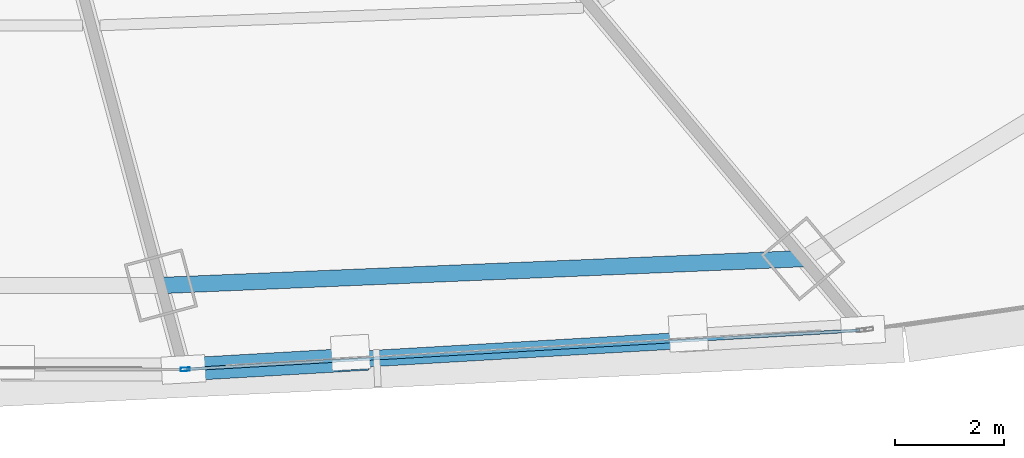
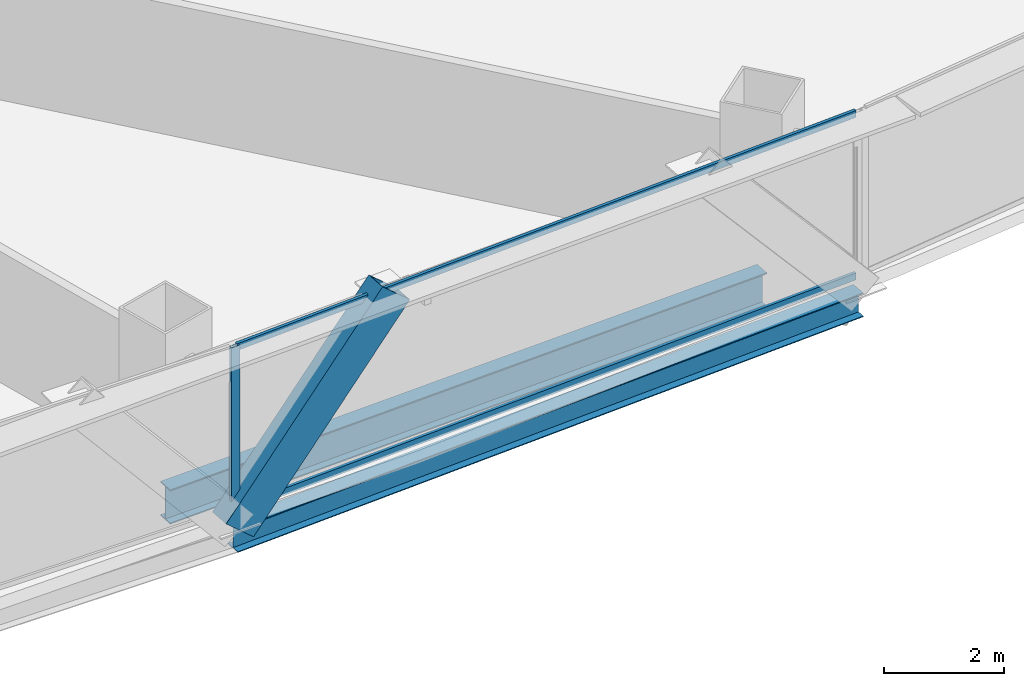
# One storey, part 10 of 42: 4 members, 2 beams, 1 element without a shape of its own.
"""IFC4 building model written with IfcOpenShell, lengths in metres."""

from ifc_helpers import new_model, si_unit, direction, frame, origin, origin_2d, place, context, subcontext, project, spatial, hollow_rectangle, i_section, extrude, source, transform, mapped, material, layer, layer_set, material_profile, profile_set, type_object, element, aggregate, save


model = new_model("IFC4")

# Units and contexts
model_context = context("Model", 3, precision=1e-05, world=origin(), true_north=direction((0.0, 1.0)))
body_context = subcontext(model_context, "Body", "Model", "MODEL_VIEW")
ifc_project = project(units=[si_unit("LENGTHUNIT", "METRE"), si_unit("AREAUNIT", "SQUARE_METRE"), si_unit("VOLUMEUNIT", "CUBIC_METRE"), si_unit("PLANEANGLEUNIT", "RADIAN"), si_unit("MASSUNIT", "GRAM", prefix="KILO"), si_unit("THERMODYNAMICTEMPERATUREUNIT", "KELVIN"), si_unit("POWERUNIT", "WATT")], contexts=[model_context])

# Site, building, storey
site_placement = place(None, origin())
site = spatial("IfcSite", under=ifc_project, at=site_placement, CompositionType="ELEMENT")
building_placement = place(site_placement, origin())
building = spatial("IfcBuilding", under=site, at=building_placement, Name="Yunzhuo Pagoda Commons", CompositionType="ELEMENT")
storey_placement = place(building_placement, frame((0.0, 0.0, 48.550048828125)))
storey = spatial("IfcBuildingStorey", under=building, at=storey_placement, Name="L12", CompositionType="ELEMENT", Elevation=48.550048828125)

# Beams
ifc_material_1 = material(Name="Structural steel Q355B", Category="steel")
ifc_material_profile_1 = material_profile(ifc_material_1, i_section(OverallWidth=0.300048828125, OverallDepth=0.699951171875, WebThickness=0.012939453125, FlangeThickness=0.02392578125, at=origin_2d()), Name="Structural steel Q355B")
ifc_profile_set_1 = profile_set([ifc_material_profile_1], Name="Structural steel Q355B")
beam_type_1 = type_object("IfcBeamType", Name="B-RG1 Beam HN 700x300x13x24", PredefinedType="BEAM", material=ifc_profile_set_1)
shared_shape_1 = source(origin(), body_context, "Body", "SweptSolid", [
    extrude(i_section(OverallWidth=0.300048828125, OverallDepth=0.699951171875, WebThickness=0.012939453125, FlangeThickness=0.02392578125, at=origin_2d()), origin(), (0.0, 0.0, 1.0), 11.7900390625),
])
beam_1_placement = place(storey_placement, frame((53.72021484375, 12.35205078125, -0.610107421875), z_axis=(0.99912739354, 0.041766631146, 0.0), x_axis=(-0.041766631146, 0.99912739354, 0.0)))
element("IfcBeam", 1, at=beam_1_placement, inside=storey, type_object=beam_type_1, Name="L12 column-ring beam 3", PredefinedType="BEAM", context=body_context, shape_type="MappedRepresentation", body=[
    mapped(shared_shape_1, transform((0.0, 0.0, 0.0), scale=1.0)),
])
ifc_material_profile_2 = material_profile(ifc_material_1, i_section(OverallWidth=0.300048828125, OverallDepth=0.488037109375, WebThickness=0.010986328125, FlangeThickness=0.01806640625, at=origin_2d()), Name="Structural steel Q355B")
ifc_profile_set_2 = profile_set([ifc_material_profile_2], Name="Structural steel Q355B")
beam_type_2 = type_object("IfcBeamType", Name="B-SP1 Beam HM 488x300x11x18", PredefinedType="BEAM", material=ifc_profile_set_2)
shared_shape_2 = source(origin(), body_context, "Body", "SweptSolid", [
    extrude(i_section(OverallWidth=0.300048828125, OverallDepth=0.488037109375, WebThickness=0.010986328125, FlangeThickness=0.01806640625, at=origin_2d()), origin(), (0.0, 0.0, 1.0), 12.488037109375),
])
beam_2_placement = place(storey_placement, frame((54.133056640625, 10.811279296875, -0.504150390625), z_axis=(0.998328811504, 0.057789134978, 0.0), x_axis=(-0.057789134978, 0.998328811504, 0.0)))
element("IfcBeam", 2, at=beam_2_placement, inside=storey, type_object=beam_type_2, Name="L12 facade edge spandrel beam F1.3", PredefinedType="BEAM", context=body_context, shape_type="MappedRepresentation", body=[
    mapped(shared_shape_2, transform((0.0, 0.0, 0.0), scale=1.0)),
])

# Member
ifc_material_2 = material(Name="Structural steel Q420B", Category="steel")
ifc_material_profile_3 = material_profile(ifc_material_2, hollow_rectangle(XDim=0.419921875, YDim=0.719970703125, WallThickness=0.028076171875, at=origin_2d()), Name="Structural steel Q420B")
ifc_profile_set_3 = profile_set([ifc_material_profile_3], Name="Structural steel Q420B")
member_type_1 = type_object("IfcMemberType", Name="M-DL1 Brace BOX 720x420x28", PredefinedType="BRACE", material=ifc_profile_set_3)
shared_shape_3 = source(origin(), body_context, "Body", "SweptSolid", [
    extrude(hollow_rectangle(XDim=0.419921875, YDim=0.719970703125, WallThickness=0.028076171875, at=origin_2d()), origin(), (0.0, 0.0, 1.0), 4.787841796875),
])
member_1_placement = place(storey_placement, frame((54.133056640625, 10.811279296875, -0.260009765625), z_axis=(0.650975599794, 0.0376837669, 0.758162714847), x_axis=(-0.057791390819, 0.99832868092, 0.0)))
element("IfcMember", 3, at=member_1_placement, inside=storey, type_object=member_type_1, Name="L12 facade diamond brace F1.3L", PredefinedType="BRACE", context=body_context, shape_type="MappedRepresentation", body=[
    mapped(shared_shape_3, transform((0.0, 0.0, 0.0), scale=1.0)),
])

# Curtain wall, members
ifc_material_3 = material(Name="Anodized aluminium 6063-T6", Category="aluminium")
ifc_layer = layer(ifc_material_3, 0.1650390625)
ifc_layer_set = layer_set([ifc_layer], Name="Anodized aluminium 6063-T6")
curtain_wall_type = type_object("IfcCurtainWallType", Name="CW-LOW Low-Zone Ribbon Curtain Wall", PredefinedType="NOTDEFINED", material=ifc_layer_set)
curtain_wall_placement = place(storey_placement, origin())
curtain_wall = element("IfcCurtainWall", 4, at=curtain_wall_placement, inside=storey, type_object=curtain_wall_type, Name="L12 curtain wall CW-L12-F1B4", PredefinedType="NOTDEFINED")
ifc_material_profile_4 = material_profile(ifc_material_3, hollow_rectangle(XDim=0.06494140625, YDim=0.1650390625, WallThickness=0.00390625, at=origin_2d()), Name="Anodized aluminium 6063-T6")
ifc_profile_set_4 = profile_set([ifc_material_profile_4], Name="Anodized aluminium 6063-T6")
member_type_2 = type_object("IfcMemberType", Name="CW-LOW-M Mullion RHS 165x65x4", PredefinedType="MULLION", material=ifc_profile_set_4)
shared_shape_4 = source(origin(), body_context, "Body", "SweptSolid", [
    extrude(hollow_rectangle(XDim=0.06494140625, YDim=0.1650390625, WallThickness=0.00390625, at=origin_2d()), origin(), (0.0, 0.0, 1.0), 3.369873046875),
])
member_2_placement = place(storey_placement, frame((54.16552734375, 10.813232421875, 0.0), z_axis=(0.0, 0.0, 1.0), x_axis=(-0.057790687505, 0.998328721633, 0.0)))
member_2 = element("IfcMember", 5, at=member_2_placement, type_object=member_type_2, Name="CW mullion 1", PredefinedType="MULLION", context=body_context, shape_type="MappedRepresentation", body=[
    mapped(shared_shape_4, transform((0.0, 0.0, 0.0), scale=1.0)),
])
ifc_material_profile_5 = material_profile(ifc_material_3, hollow_rectangle(XDim=0.06005859375, YDim=0.139892578125, WallThickness=0.00341796875, at=origin_2d()), Name="Anodized aluminium 6063-T6")
ifc_profile_set_5 = profile_set([ifc_material_profile_5], Name="Anodized aluminium 6063-T6")
member_type_3 = type_object("IfcMemberType", Name="CW-LOW-T Transom RHS 140x60x3.5", PredefinedType="USERDEFINED", material=ifc_profile_set_5)
shared_shape_5 = source(origin(), body_context, "Body", "SweptSolid", [
    extrude(hollow_rectangle(XDim=0.06005859375, YDim=0.139892578125, WallThickness=0.00341796875, at=origin_2d()), origin(), (0.0, 0.0, 1.0), 12.358154296875),
])
member_3_placement = place(storey_placement, frame((54.197998046875, 10.81494140625, 0.030029296875), z_axis=(0.998327904956, 0.0578047938, 0.0), x_axis=(-0.0578047938, 0.998327904956, 0.0)))
member_3 = element("IfcMember", 6, at=member_3_placement, type_object=member_type_3, Name="CW transom 1.1", ObjectType="TRANSOM", PredefinedType="USERDEFINED", context=body_context, shape_type="MappedRepresentation", body=[
    mapped(shared_shape_5, transform((0.0, 0.0, 0.0), scale=1.0)),
])
member_4_placement = place(storey_placement, frame((54.197998046875, 10.81494140625, 3.33984375), z_axis=(0.998327904956, 0.0578047938, 0.0), x_axis=(-0.0578047938, 0.998327904956, 0.0)))
member_4 = element("IfcMember", 7, at=member_4_placement, type_object=member_type_3, Name="CW transom 1.2", ObjectType="TRANSOM", PredefinedType="USERDEFINED", context=body_context, shape_type="MappedRepresentation", body=[
    mapped(shared_shape_5, transform((0.0, 0.0, 0.0), scale=1.0)),
])
aggregate(curtain_wall, [member_2, member_3, member_4])

save(model, "model.ifc")
